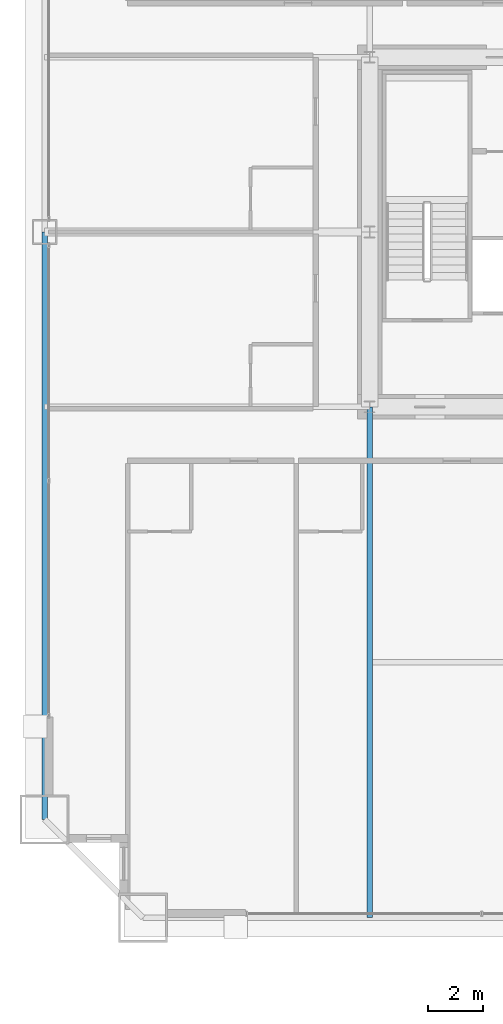
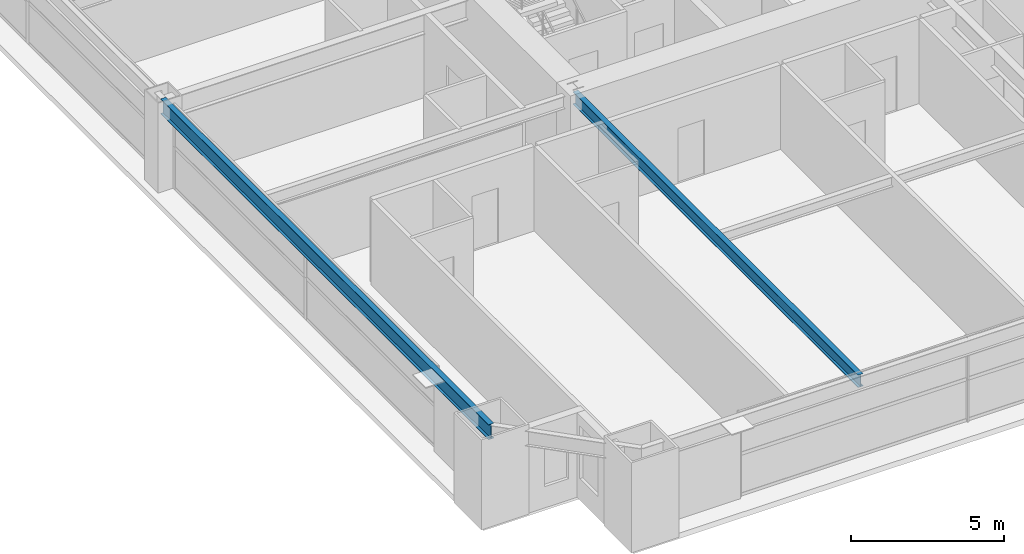
# One storey, part 6 of 43: 2 beams.
"""IFC4 building model written with IfcOpenShell, lengths in metres."""

from ifc_helpers import new_model, si_unit, direction, frame, origin, origin_2d, place, context, subcontext, project, spatial, i_section, extrude, source, transform, mapped, material, material_profile, profile_set, type_object, element, save


model = new_model("IFC4")

# Units and contexts
model_context = context("Model", 3, precision=1e-05, world=origin(), true_north=direction((0.0, 1.0)))
body_context = subcontext(model_context, "Body", "Model", "MODEL_VIEW")
ifc_project = project(units=[si_unit("LENGTHUNIT", "METRE"), si_unit("AREAUNIT", "SQUARE_METRE"), si_unit("VOLUMEUNIT", "CUBIC_METRE"), si_unit("PLANEANGLEUNIT", "RADIAN"), si_unit("MASSUNIT", "GRAM", prefix="KILO"), si_unit("THERMODYNAMICTEMPERATUREUNIT", "KELVIN"), si_unit("POWERUNIT", "WATT")], contexts=[model_context])

# Site, building, storey
site_placement = place(None, origin())
site = spatial("IfcSite", under=ifc_project, at=site_placement, CompositionType="ELEMENT")
building_placement = place(site_placement, origin())
building = spatial("IfcBuilding", under=site, at=building_placement, Name="Yuzanri Waterfront Tower", CompositionType="ELEMENT")
storey_placement = place(building_placement, frame((0.0, 0.0, 64.0)))
storey = spatial("IfcBuildingStorey", under=building, at=storey_placement, Name="L16", CompositionType="ELEMENT", Elevation=64.0)

# Beams
ifc_material_1 = material(Name="Steel Q355B", Category="steel")
ifc_material_profile_1 = material_profile(ifc_material_1, i_section(OverallWidth=0.199951171875, OverallDepth=0.60009765625, WebThickness=0.010986328125, FlangeThickness=0.01708984375, at=origin_2d()), Name="HN 600x200x11x17")
ifc_profile_set_1 = profile_set([ifc_material_profile_1], Name="Steel Q355B")
beam_type_1 = type_object("IfcBeamType", Name="Perimeter Spandrel Q355B HN 600x200", PredefinedType="SPANDREL", material=ifc_profile_set_1)
shared_shape_1 = source(origin(), body_context, "Body", "SweptSolid", [
    extrude(i_section(OverallWidth=0.199951171875, OverallDepth=0.60009765625, WebThickness=0.010986328125, FlangeThickness=0.01708984375, at=origin_2d()), origin(), (0.0, 0.0, 1.0), 21.5),
])
beam_1_placement = place(storey_placement, frame((11.89990234375, 25.800048828125, 3.080078125), z_axis=(0.0, -1.0, 0.0), x_axis=(1.0, 0.0, 0.0)))
element("IfcBeam", 1, at=beam_1_placement, inside=storey, type_object=beam_type_1, Name="L16 Perimeter Spandrel W2-W1", PredefinedType="SPANDREL", context=body_context, shape_type="MappedRepresentation", body=[
    mapped(shared_shape_1, transform((0.0, 0.0, 0.0), scale=1.0)),
])
ifc_material_2 = material(Name="Steel Q355B", Category="steel")
ifc_material_profile_2 = material_profile(ifc_material_2, i_section(OverallWidth=0.199951171875, OverallDepth=0.5, WebThickness=0.010009765625, FlangeThickness=0.01611328125, at=origin_2d()), Name="HN 500x200x10x16")
ifc_profile_set_2 = profile_set([ifc_material_profile_2], Name="Steel Q355B")
beam_type_2 = type_object("IfcBeamType", Name="Secondary Floor Beam Q355B HN 500x200", PredefinedType="BEAM", material=ifc_profile_set_2)
shared_shape_2 = source(origin(), body_context, "Body", "SweptSolid", [
    extrude(i_section(OverallWidth=0.199951171875, OverallDepth=0.5, WebThickness=0.010009765625, FlangeThickness=0.01611328125, at=origin_2d()), origin(), (0.0, 0.0, 1.0), 18.699951171875),
])
beam_2_placement = place(storey_placement, frame((23.800048828125, 19.39990234375, 3.1298828125), z_axis=(0.0, -1.0, 0.0), x_axis=(1.0, 0.0, 0.0)))
element("IfcBeam", 2, at=beam_2_placement, inside=storey, type_object=beam_type_2, Name="L16 South-West Core Line Beam", PredefinedType="BEAM", context=body_context, shape_type="MappedRepresentation", body=[
    mapped(shared_shape_2, transform((0.0, 0.0, 0.0), scale=1.0)),
])

save(model, "model.ifc")
